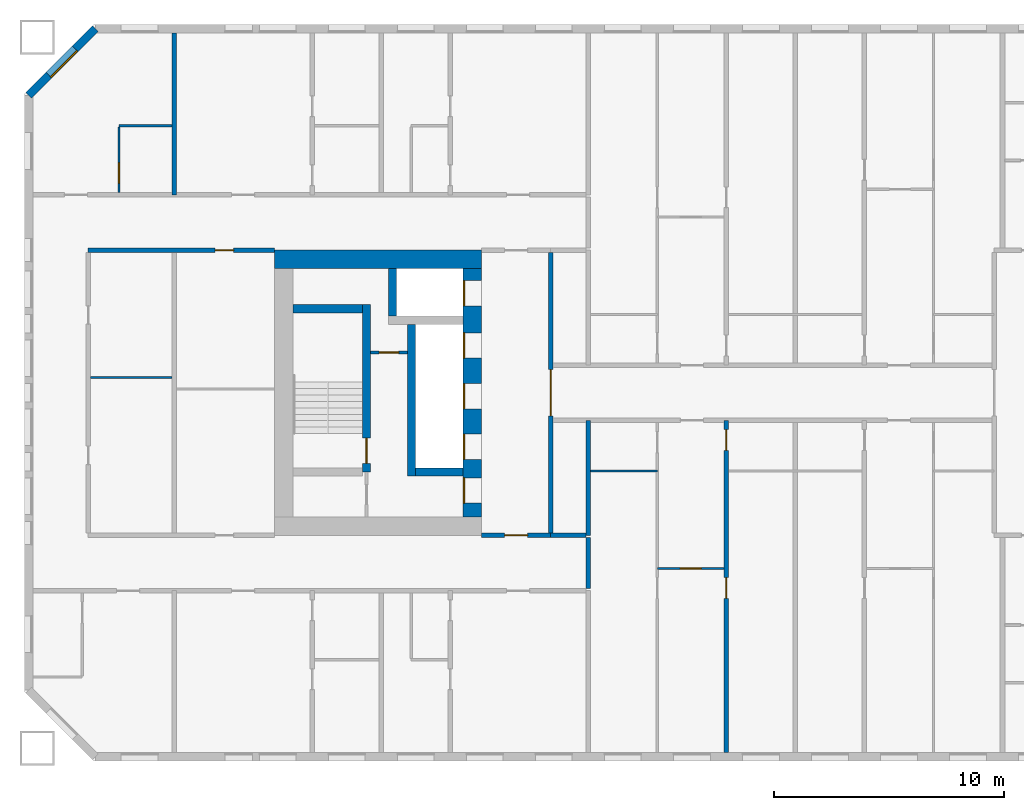
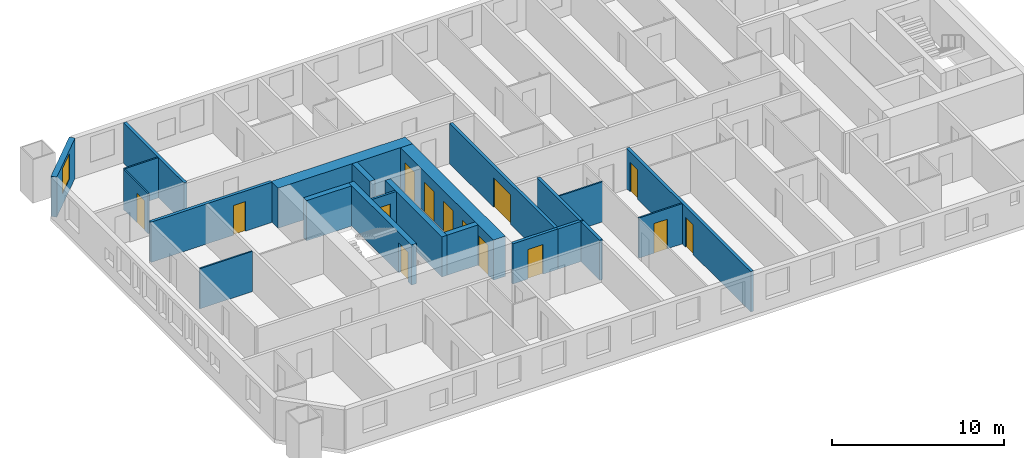
# One storey, part 4 of 17: 22 walls, 14 doors, 1 window, 15 openings.
"""IFC4 building model written with IfcOpenShell, lengths in metres."""

from ifc_helpers import new_model, si_unit, direction, frame, frame_2d, origin, place, context, subcontext, project, spatial, rectangle, extrude, material, layer, layer_set, type_object, element, fill, save


model = new_model("IFC4")

# Units and contexts
model_context = context("Model", 3, precision=1e-05, world=origin(), true_north=direction((0.0, 1.0)))
body_context = subcontext(model_context, "Body", "Model", "MODEL_VIEW")
ifc_project = project(units=[si_unit("LENGTHUNIT", "METRE"), si_unit("AREAUNIT", "SQUARE_METRE"), si_unit("VOLUMEUNIT", "CUBIC_METRE"), si_unit("PLANEANGLEUNIT", "RADIAN"), si_unit("MASSUNIT", "GRAM", prefix="KILO")], contexts=[model_context])

# Site, building, storey
site_placement = place(None, origin())
site = spatial("IfcSite", under=ifc_project, at=site_placement, CompositionType="ELEMENT")
building_placement = place(site_placement, origin())
building = spatial("IfcBuilding", under=site, at=building_placement, Name="Tuart Gate Housing", CompositionType="ELEMENT")
storey_placement = place(building_placement, frame((0.0, 0.0, 47.39990234375)))
storey = spatial("IfcBuildingStorey", under=building, at=storey_placement, Name="L12", CompositionType="ELEMENT", Elevation=47.39990234375)

# Wall, opening, window
ifc_material_1 = material(Name="Brick", Category="masonry")
ifc_layer_1 = layer(ifc_material_1, 0.360107421875)
ifc_layer_set_1 = layer_set([ifc_layer_1], Name="Brick pier and spandrel wall 360")
wall_type_1 = type_object("IfcWallType", Name="Brick pier and spandrel wall 360", PredefinedType="STANDARD", material=ifc_layer_set_1)
wall_1_placement = place(storey_placement, frame((24.57470703125, 85.820068359375, 0.0), z_axis=(0.0, 0.0, 1.0), x_axis=(-0.707106781187, -0.707106781187, 0.0)))
wall_1 = element("IfcWall", 1, at=wall_1_placement, inside=storey, type_object=wall_type_1, Name="External wall A-NW L12", PredefinedType="STANDARD", context=body_context, shape_type="SweptSolid", body=[
    extrude(rectangle(XDim=4.09375, YDim=0.360107421875, at=frame_2d((2.046875, 0.0))), origin(), (0.0, 0.0, 1.0), 2.85009765625),
])
opening_1_placement = place(wall_1_placement, frame((1.2470703125, 0.0, 0.800048828125)))
opening_1 = element("IfcOpeningElement", 2, at=opening_1_placement, cuts=wall_1, Name="Opening W1", PredefinedType="OPENING", context=body_context, shape_type="SweptSolid", body=[
    extrude(rectangle(XDim=1.60009765625, YDim=1.800048828125, at=frame_2d((0.800048828125, 0.89990234375))), frame((0.0, 0.18994140625, 0.0), z_axis=(0.0, -1.0, 0.0), x_axis=(1.0, 0.0, 0.0)), (0.0, 0.0, 1.0), 0.380126953125),
])
ifc_material_2 = material(Name="Aluminium frame with clear glass", Category="aluminium")
window_type = type_object("IfcWindowType", Name="Punched window 1600 x 1800", PartitioningType="SINGLE_PANEL", PredefinedType="WINDOW", material=ifc_material_2)
window_placement = place(opening_1_placement, origin())
window = element("IfcWindow", 3, at=window_placement, inside=storey, type_object=window_type, Name="Window W1", OverallHeight=1.800048828125, OverallWidth=1.60009765625, PartitioningType="SINGLE_PANEL", PredefinedType="WINDOW", context=body_context, shape_type="SweptSolid", body=[
    extrude(rectangle(XDim=1.60009765625, YDim=1.800048828125, at=frame_2d((0.800048828125, 0.89990234375))), frame((0.0, 0.150146484375, 0.0), z_axis=(0.0, -1.0, 0.0), x_axis=(1.0, 0.0, 0.0)), (0.0, 0.0, 1.0), 0.06005859375),
])
fill(opening_1, window)

# Wall, opening, door
ifc_material_3 = material(Name="Plasterboard partition")
ifc_layer_2 = layer(ifc_material_3, 0.14990234375)
ifc_layer_set_2 = layer_set([ifc_layer_2], Name="Core partition 150")
wall_type_2 = type_object("IfcWallType", Name="Core partition 150", PredefinedType="PARTITIONING", material=ifc_layer_set_2)
wall_2_placement = place(storey_placement, frame((38.135009765625, 71.75, 0.0), z_axis=(0.0, 0.0, 1.0), x_axis=(-1.0, 0.0, 0.0)))
wall_2 = element("IfcWall", 4, at=wall_2_placement, inside=storey, type_object=wall_type_2, Name="Core partition AK.3", PredefinedType="PARTITIONING", context=body_context, shape_type="SweptSolid", body=[
    extrude(rectangle(XDim=1.60009765625, YDim=0.14990234375, at=frame_2d((0.800048828125, 0.0))), origin(), (0.0, 0.0, 1.0), 2.85009765625),
])
opening_2_placement = place(wall_2_placement, frame((0.375, 0.0, 0.0)))
opening_2 = element("IfcOpeningElement", 5, at=opening_2_placement, cuts=wall_2, Name="Opening D616", PredefinedType="OPENING", context=body_context, shape_type="SweptSolid", body=[
    extrude(rectangle(XDim=0.85009765625, YDim=2.10009765625, at=frame_2d((0.425048828125, 1.050048828125))), frame((0.0, 0.0849609375, 0.0), z_axis=(0.0, -1.0, 0.0), x_axis=(1.0, 0.0, 0.0)), (0.0, 0.0, 1.0), 0.169921875),
])
ifc_material_4 = material(Name="Steel fire door", Category="steel")
door_type_1 = type_object("IfcDoorType", Name="Riser door 850 x 2100 RH", OperationType="SINGLE_SWING_RIGHT", PredefinedType="DOOR", material=ifc_material_4)
door_1_placement = place(opening_2_placement, frame((0.85009765625, 0.0, 0.0), z_axis=(0.0, 0.0, 1.0), x_axis=(-1.0, 0.0, 0.0)))
door_1 = element("IfcDoor", 6, at=door_1_placement, inside=storey, type_object=door_type_1, Name="Service room door AK.E1", OperationType="SINGLE_SWING_RIGHT", OverallHeight=2.10009765625, OverallWidth=0.85009765625, PredefinedType="DOOR", context=body_context, shape_type="SweptSolid", body=[
    extrude(rectangle(XDim=0.85009765625, YDim=2.10009765625, at=frame_2d((0.425048828125, 1.050048828125))), frame((0.0, 0.025146484375, 0.0), z_axis=(0.0, -1.0, 0.0), x_axis=(1.0, 0.0, 0.0)), (0.0, 0.0, 1.0), 0.050048828125),
])
fill(opening_2, door_1)

# Walls
ifc_material_5 = material(Name="Concrete C60", Category="concrete")
ifc_layer_3 = layer(ifc_material_5, 0.35009765625)
ifc_layer_set_3 = layer_set([ifc_layer_3], Name="Core wall 350 C60")
wall_type_3 = type_object("IfcWallType", Name="Core wall 350 C60", PredefinedType="SHEAR", material=ifc_layer_set_3)
wall_3_placement = place(storey_placement, frame((36.18505859375, 73.64990234375, 0.0), z_axis=(0.0, 0.0, 1.0), x_axis=(-1.0, 0.0, 0.0)))
element("IfcWall", 7, at=wall_3_placement, inside=storey, type_object=wall_type_3, Name="Core wall AK.1", PredefinedType="SHEAR", context=body_context, shape_type="SweptSolid", body=[
    extrude(rectangle(XDim=3.025146484375, YDim=0.35009765625, at=frame_2d((1.5126953125, 0.0))), origin(), (0.0, 0.0, 1.0), 2.85009765625),
])
wall_4_placement = place(storey_placement, frame((40.56005859375, 66.550048828125, 0.0), z_axis=(0.0, 0.0, 1.0), x_axis=(-1.0, 0.0, 0.0)))
element("IfcWall", 8, at=wall_4_placement, inside=storey, type_object=wall_type_3, Name="Core wall AK.4", PredefinedType="SHEAR", context=body_context, shape_type="SweptSolid", body=[
    extrude(rectangle(XDim=2.074951171875, YDim=0.35009765625, at=frame_2d((1.03759765625, 0.0))), origin(), (0.0, 0.0, 1.0), 2.85009765625),
])
wall_5_placement = place(storey_placement, frame((38.31005859375, 72.97509765625, 0.0), z_axis=(0.0, 0.0, 1.0), x_axis=(0.0, -1.0, 0.0)))
element("IfcWall", 9, at=wall_5_placement, inside=storey, type_object=wall_type_3, Name="Core wall AK.6", PredefinedType="SHEAR", context=body_context, shape_type="SweptSolid", body=[
    extrude(rectangle(XDim=6.60009765625, YDim=0.35009765625, at=frame_2d((3.300048828125, 0.0))), origin(), (0.0, 0.0, 1.0), 2.85009765625),
])
wall_6_placement = place(storey_placement, frame((37.489990234375, 75.39990234375, 0.0), z_axis=(0.0, 0.0, 1.0), x_axis=(0.0, -1.0, 0.0)))
element("IfcWall", 10, at=wall_6_placement, inside=storey, type_object=wall_type_3, Name="Core wall AK.7", PredefinedType="SHEAR", context=body_context, shape_type="SweptSolid", body=[
    extrude(rectangle(XDim=2.074951171875, YDim=0.35009765625, at=frame_2d((1.03759765625, 0.0))), origin(), (0.0, 0.0, 1.0), 2.85009765625),
])

# Wall, opening, door
wall_7_placement = place(storey_placement, frame((36.360107421875, 73.824951171875, 0.0), z_axis=(0.0, 0.0, 1.0), x_axis=(0.0, -1.0, 0.0)))
wall_7 = element("IfcWall", 11, at=wall_7_placement, inside=storey, type_object=wall_type_3, Name="Core wall AK.8", PredefinedType="SHEAR", context=body_context, shape_type="SweptSolid", body=[
    extrude(rectangle(XDim=7.27490234375, YDim=0.35009765625, at=frame_2d((3.637451171875, 0.0))), origin(), (0.0, 0.0, 1.0), 2.85009765625),
])
opening_3_placement = place(wall_7_placement, frame((5.800048828125, 0.0, 0.0)))
opening_3 = element("IfcOpeningElement", 12, at=opening_3_placement, cuts=wall_7, Name="Opening D619", PredefinedType="OPENING", context=body_context, shape_type="SweptSolid", body=[
    extrude(rectangle(XDim=1.10009765625, YDim=2.10009765625, at=frame_2d((0.550048828125, 1.050048828125))), frame((0.0, 0.18505859375, 0.0), z_axis=(0.0, -1.0, 0.0), x_axis=(1.0, 0.0, 0.0)), (0.0, 0.0, 1.0), 0.3701171875),
])
ifc_material_6 = material(Name="Steel fire door", Category="steel")
door_type_2 = type_object("IfcDoorType", Name="Stair door 1100 x 2100", OperationType="SINGLE_SWING_LEFT", PredefinedType="DOOR", material=ifc_material_6)
door_2_placement = place(opening_3_placement, frame((1.10009765625, 0.0, 0.0), z_axis=(0.0, 0.0, 1.0), x_axis=(-1.0, 0.0, 0.0)))
door_2 = element("IfcDoor", 13, at=door_2_placement, inside=storey, type_object=door_type_2, Name="Stair door AK.SD", OperationType="SINGLE_SWING_LEFT", OverallHeight=2.10009765625, OverallWidth=1.10009765625, PredefinedType="DOOR", context=body_context, shape_type="SweptSolid", body=[
    extrude(rectangle(XDim=1.10009765625, YDim=2.10009765625, at=frame_2d((0.550048828125, 1.050048828125))), frame((0.0, 0.025146484375, 0.0), z_axis=(0.0, -1.0, 0.0), x_axis=(1.0, 0.0, 0.0)), (0.0, 0.0, 1.0), 0.050048828125),
])
fill(opening_3, door_2)

# Wall, openings, doors
ifc_material_7 = material(Name="Concrete C60", Category="concrete")
ifc_layer_4 = layer(ifc_material_7, 0.800048828125)
ifc_layer_set_4 = layer_set([ifc_layer_4], Name="Core wall 800 C60")
wall_type_4 = type_object("IfcWallType", Name="Core wall 800 C60", PredefinedType="SHEAR", material=ifc_layer_set_4)
wall_8_placement = place(storey_placement, frame((40.9599609375, 75.39990234375, 0.0), z_axis=(0.0, 0.0, 1.0), x_axis=(0.0, -1.0, 0.0)))
wall_8 = element("IfcWall", 14, at=wall_8_placement, inside=storey, type_object=wall_type_4, Name="Core wall AK front", PredefinedType="SHEAR", context=body_context, shape_type="SweptSolid", body=[
    extrude(rectangle(XDim=10.7998046875, YDim=0.800048828125, at=frame_2d((5.39990234375, 0.0))), origin(), (0.0, 0.0, 1.0), 2.85009765625),
])
opening_4_placement = place(wall_8_placement, frame((0.52490234375, 0.0, 0.0)))
opening_4 = element("IfcOpeningElement", 15, at=opening_4_placement, cuts=wall_8, Name="Opening LD-FA2", PredefinedType="OPENING", context=body_context, shape_type="SweptSolid", body=[
    extrude(rectangle(XDim=1.10009765625, YDim=2.10009765625, at=frame_2d((0.550048828125, 1.050048828125))), frame((0.0, 0.409912109375, 0.0), z_axis=(0.0, -1.0, 0.0), x_axis=(1.0, 0.0, 0.0)), (0.0, 0.0, 1.0), 0.820068359375),
])
opening_5_placement = place(wall_8_placement, frame((2.800048828125, 0.0, 0.0)))
opening_5 = element("IfcOpeningElement", 16, at=opening_5_placement, cuts=wall_8, Name="Opening LD-LA4", PredefinedType="OPENING", context=body_context, shape_type="SweptSolid", body=[
    extrude(rectangle(XDim=1.10009765625, YDim=2.10009765625, at=frame_2d((0.550048828125, 1.050048828125))), frame((0.0, 0.409912109375, 0.0), z_axis=(0.0, -1.0, 0.0), x_axis=(1.0, 0.0, 0.0)), (0.0, 0.0, 1.0), 0.820068359375),
])
opening_6_placement = place(wall_8_placement, frame((5.0, 0.0, 0.0)))
opening_6 = element("IfcOpeningElement", 17, at=opening_6_placement, cuts=wall_8, Name="Opening LD-LA5", PredefinedType="OPENING", context=body_context, shape_type="SweptSolid", body=[
    extrude(rectangle(XDim=1.10009765625, YDim=2.10009765625, at=frame_2d((0.550048828125, 1.050048828125))), frame((0.0, 0.409912109375, 0.0), z_axis=(0.0, -1.0, 0.0), x_axis=(1.0, 0.0, 0.0)), (0.0, 0.0, 1.0), 0.820068359375),
])
opening_7_placement = place(wall_8_placement, frame((7.199951171875, 0.0, 0.0)))
opening_7 = element("IfcOpeningElement", 18, at=opening_7_placement, cuts=wall_8, Name="Opening LD-LA6", PredefinedType="OPENING", context=body_context, shape_type="SweptSolid", body=[
    extrude(rectangle(XDim=1.10009765625, YDim=2.10009765625, at=frame_2d((0.550048828125, 1.050048828125))), frame((0.0, 0.409912109375, 0.0), z_axis=(0.0, -1.0, 0.0), x_axis=(1.0, 0.0, 0.0)), (0.0, 0.0, 1.0), 0.820068359375),
])
opening_8_placement = place(wall_8_placement, frame((9.10009765625, 0.0, 0.0)))
opening_8 = element("IfcOpeningElement", 19, at=opening_8_placement, cuts=wall_8, Name="Opening D622", PredefinedType="OPENING", context=body_context, shape_type="SweptSolid", body=[
    extrude(rectangle(XDim=1.10009765625, YDim=2.10009765625, at=frame_2d((0.550048828125, 1.050048828125))), frame((0.0, 0.409912109375, 0.0), z_axis=(0.0, -1.0, 0.0), x_axis=(1.0, 0.0, 0.0)), (0.0, 0.0, 1.0), 0.820068359375),
])
ifc_material_8 = material(Name="Stainless steel", Category="steel")
door_type_3 = type_object("IfcDoorType", Name="Landing door 1100 x 2100", OperationType="DOUBLE_DOOR_SLIDING", PredefinedType="DOOR", material=ifc_material_8)
door_3_placement = place(opening_4_placement, origin())
door_3 = element("IfcDoor", 20, at=door_3_placement, inside=storey, type_object=door_type_3, Name="Lift landing door FA2", OperationType="DOUBLE_DOOR_SLIDING", OverallHeight=2.10009765625, OverallWidth=1.10009765625, PredefinedType="DOOR", context=body_context, shape_type="SweptSolid", body=[
    extrude(rectangle(XDim=1.10009765625, YDim=2.10009765625, at=frame_2d((0.550048828125, 1.050048828125))), frame((0.0, -0.3349609375, 0.0), z_axis=(0.0, -1.0, 0.0), x_axis=(1.0, 0.0, 0.0)), (0.0, 0.0, 1.0), 0.050048828125),
])
fill(opening_4, door_3)
door_4_placement = place(opening_5_placement, origin())
door_4 = element("IfcDoor", 21, at=door_4_placement, inside=storey, type_object=door_type_3, Name="Lift landing door LA4", OperationType="DOUBLE_DOOR_SLIDING", OverallHeight=2.10009765625, OverallWidth=1.10009765625, PredefinedType="DOOR", context=body_context, shape_type="SweptSolid", body=[
    extrude(rectangle(XDim=1.10009765625, YDim=2.10009765625, at=frame_2d((0.550048828125, 1.050048828125))), frame((0.0, -0.3349609375, 0.0), z_axis=(0.0, -1.0, 0.0), x_axis=(1.0, 0.0, 0.0)), (0.0, 0.0, 1.0), 0.050048828125),
])
fill(opening_5, door_4)
door_5_placement = place(opening_6_placement, origin())
door_5 = element("IfcDoor", 22, at=door_5_placement, inside=storey, type_object=door_type_3, Name="Lift landing door LA5", OperationType="DOUBLE_DOOR_SLIDING", OverallHeight=2.10009765625, OverallWidth=1.10009765625, PredefinedType="DOOR", context=body_context, shape_type="SweptSolid", body=[
    extrude(rectangle(XDim=1.10009765625, YDim=2.10009765625, at=frame_2d((0.550048828125, 1.050048828125))), frame((0.0, -0.3349609375, 0.0), z_axis=(0.0, -1.0, 0.0), x_axis=(1.0, 0.0, 0.0)), (0.0, 0.0, 1.0), 0.050048828125),
])
fill(opening_6, door_5)
door_6_placement = place(opening_7_placement, origin())
door_6 = element("IfcDoor", 23, at=door_6_placement, inside=storey, type_object=door_type_3, Name="Lift landing door LA6", OperationType="DOUBLE_DOOR_SLIDING", OverallHeight=2.10009765625, OverallWidth=1.10009765625, PredefinedType="DOOR", context=body_context, shape_type="SweptSolid", body=[
    extrude(rectangle(XDim=1.10009765625, YDim=2.10009765625, at=frame_2d((0.550048828125, 1.050048828125))), frame((0.0, -0.3349609375, 0.0), z_axis=(0.0, -1.0, 0.0), x_axis=(1.0, 0.0, 0.0)), (0.0, 0.0, 1.0), 0.050048828125),
])
fill(opening_7, door_6)
ifc_material_9 = material(Name="Steel fire door", Category="steel")
door_type_4 = type_object("IfcDoorType", Name="Lobby door 1100 x 2100 RH", OperationType="SINGLE_SWING_RIGHT", PredefinedType="DOOR", material=ifc_material_9)
door_7_placement = place(opening_8_placement, frame((1.10009765625, 0.0, 0.0), z_axis=(0.0, 0.0, 1.0), x_axis=(-1.0, 0.0, 0.0)))
door_7 = element("IfcDoor", 24, at=door_7_placement, inside=storey, type_object=door_type_4, Name="Lobby entry door AK.EN", OperationType="SINGLE_SWING_RIGHT", OverallHeight=2.10009765625, OverallWidth=1.10009765625, PredefinedType="DOOR", context=body_context, shape_type="SweptSolid", body=[
    extrude(rectangle(XDim=1.10009765625, YDim=2.10009765625, at=frame_2d((0.550048828125, 1.050048828125))), frame((0.0, 0.385009765625, 0.0), z_axis=(0.0, -1.0, 0.0), x_axis=(1.0, 0.0, 0.0)), (0.0, 0.0, 1.0), 0.050048828125),
])
fill(opening_8, door_7)

# Walls
wall_9_placement = place(storey_placement, frame((41.360107421875, 75.800048828125, 0.0), z_axis=(0.0, 0.0, 1.0), x_axis=(-1.0, 0.0, 0.0)))
element("IfcWall", 25, at=wall_9_placement, inside=storey, type_object=wall_type_4, Name="Core wall AK south", PredefinedType="SHEAR", context=body_context, shape_type="SweptSolid", body=[
    extrude(rectangle(XDim=9.0, YDim=0.800048828125, at=frame_2d((4.5, 0.0))), origin(), (0.0, 0.0, 1.0), 2.85009765625),
])
ifc_material_10 = material(Name="Concrete masonry 15 MPa", Category="masonry")
ifc_layer_5 = layer(ifc_material_10, 0.199951171875)
ifc_layer_set_5 = layer_set([ifc_layer_5], Name="Corridor wall masonry 200")
wall_type_5 = type_object("IfcWallType", Name="Corridor wall masonry 200", PredefinedType="PARTITIONING", material=ifc_layer_set_5)
wall_10_placement = place(storey_placement, frame((44.360107421875, 63.800048828125, 0.0), z_axis=(0.0, 0.0, 1.0), x_axis=(1.0, 0.0, 0.0)))
element("IfcWall", 26, at=wall_10_placement, inside=storey, type_object=wall_type_5, Name="Corridor wall masonry 200", PredefinedType="PARTITIONING", context=body_context, shape_type="SweptSolid", body=[
    extrude(rectangle(XDim=1.539794921875, YDim=0.199951171875, at=frame_2d((0.77001953125, 0.0))), origin(), (0.0, 0.0, 1.0), 2.85009765625),
])

# Wall, opening, door
wall_11_placement = place(storey_placement, frame((24.260009765625, 76.199951171875, 0.0), z_axis=(0.0, 0.0, 1.0), x_axis=(1.0, 0.0, 0.0)))
wall_11 = element("IfcWall", 27, at=wall_11_placement, inside=storey, type_object=wall_type_5, Name="Corridor wall masonry 200", PredefinedType="PARTITIONING", context=body_context, shape_type="SweptSolid", body=[
    extrude(rectangle(XDim=8.10009765625, YDim=0.199951171875, at=frame_2d((4.050048828125, 0.0))), origin(), (0.0, 0.0, 1.0), 2.85009765625),
])
opening_9_placement = place(wall_11_placement, frame((5.52001953125, 0.0, 0.0)))
opening_9 = element("IfcOpeningElement", 28, at=opening_9_placement, cuts=wall_11, Name="Opening D612", PredefinedType="OPENING", context=body_context, shape_type="SweptSolid", body=[
    extrude(rectangle(XDim=0.800048828125, YDim=2.10009765625, at=frame_2d((0.39990234375, 1.050048828125))), frame((0.0, 0.10986328125, 0.0), z_axis=(0.0, -1.0, 0.0), x_axis=(1.0, 0.0, 0.0)), (0.0, 0.0, 1.0), 0.219970703125),
])
ifc_material_11 = material(Name="Timber door leaf in steel frame", Category="steel")
door_type_5 = type_object("IfcDoorType", Name="Store door 800 RH", OperationType="SINGLE_SWING_RIGHT", PredefinedType="DOOR", material=ifc_material_11)
door_8_placement = place(opening_9_placement, frame((0.800048828125, 0.0, 0.0), z_axis=(0.0, 0.0, 1.0), x_axis=(-1.0, 0.0, 0.0)))
door_8 = element("IfcDoor", 29, at=door_8_placement, inside=storey, type_object=door_type_5, Name="Store door", OperationType="SINGLE_SWING_RIGHT", OverallHeight=2.10009765625, OverallWidth=0.800048828125, PredefinedType="DOOR", context=body_context, shape_type="SweptSolid", body=[
    extrude(rectangle(XDim=0.800048828125, YDim=2.10009765625, at=frame_2d((0.400146484375, 1.050048828125))), frame((0.0, 0.025146484375, 0.0), z_axis=(0.0, -1.0, 0.0), x_axis=(1.0, 0.0, 0.0)), (0.0, 0.0, 1.0), 0.050048828125),
])
fill(opening_9, door_8)

# Wall
wall_12_placement = place(storey_placement, frame((46.0, 61.5, 0.0), z_axis=(0.0, 0.0, 1.0), x_axis=(0.0, 1.0, 0.0)))
element("IfcWall", 30, at=wall_12_placement, inside=storey, type_object=wall_type_5, Name="Corridor wall masonry 200", PredefinedType="PARTITIONING", context=body_context, shape_type="SweptSolid", body=[
    extrude(rectangle(XDim=2.199951171875, YDim=0.199951171875, at=frame_2d((1.10009765625, 0.0))), origin(), (0.0, 0.0, 1.0), 2.85009765625),
])

# Wall, opening, door
ifc_material_12 = material(Name="Concrete masonry 15 MPa", Category="masonry")
ifc_layer_6 = layer(ifc_material_12, 0.199951171875)
ifc_layer_set_6 = layer_set([ifc_layer_6], Name="Enclosure wall masonry 200")
wall_type_6 = type_object("IfcWallType", Name="Enclosure wall masonry 200", PredefinedType="PARTITIONING", material=ifc_layer_set_6)
wall_13_placement = place(storey_placement, frame((41.360107421875, 63.800048828125, 0.0), z_axis=(0.0, 0.0, 1.0), x_axis=(1.0, 0.0, 0.0)))
wall_13 = element("IfcWall", 31, at=wall_13_placement, inside=storey, type_object=wall_type_6, Name="Enclosure wall masonry 200", PredefinedType="PARTITIONING", context=body_context, shape_type="SweptSolid", body=[
    extrude(rectangle(XDim=3.0, YDim=0.199951171875, at=frame_2d((1.5, 0.0))), origin(), (0.0, 0.0, 1.0), 2.85009765625),
])
opening_10_placement = place(wall_13_placement, frame((1.0, 0.0, 0.0)))
opening_10 = element("IfcOpeningElement", 32, at=opening_10_placement, cuts=wall_13, Name="Opening D632", PredefinedType="OPENING", context=body_context, shape_type="SweptSolid", body=[
    extrude(rectangle(XDim=1.0, YDim=2.10009765625, at=frame_2d((0.5, 1.050048828125))), frame((0.0, 0.10986328125, 0.0), z_axis=(0.0, -1.0, 0.0), x_axis=(1.0, 0.0, 0.0)), (0.0, 0.0, 1.0), 0.219970703125),
])
ifc_material_13 = material(Name="Timber door leaf in steel frame", Category="steel")
door_type_6 = type_object("IfcDoorType", Name="Fire door 1000", OperationType="SINGLE_SWING_LEFT", PredefinedType="DOOR", material=ifc_material_13)
door_9_placement = place(opening_10_placement, frame((1.0, 0.0, 0.0), z_axis=(0.0, 0.0, 1.0), x_axis=(-1.0, 0.0, 0.0)))
door_9 = element("IfcDoor", 33, at=door_9_placement, inside=storey, type_object=door_type_6, Name="Fire door", OperationType="SINGLE_SWING_LEFT", OverallHeight=2.10009765625, OverallWidth=1.0, PredefinedType="DOOR", context=body_context, shape_type="SweptSolid", body=[
    extrude(rectangle(XDim=1.0, YDim=2.10009765625, at=frame_2d((0.5, 1.050048828125))), frame((0.0, 0.025146484375, 0.0), z_axis=(0.0, -1.0, 0.0), x_axis=(1.0, 0.0, 0.0)), (0.0, 0.0, 1.0), 0.050048828125),
])
fill(opening_10, door_9)

ifc_material_14 = material(Name="Plasterboard partition")
ifc_layer_7 = layer(ifc_material_14, 0.199951171875)
ifc_layer_set_7 = layer_set([ifc_layer_7], Name="Lobby wall 200")
wall_type_7 = type_object("IfcWallType", Name="Lobby wall 200", PredefinedType="PARTITIONING", material=ifc_layer_set_7)
wall_14_placement = place(storey_placement, frame((44.360107421875, 63.89990234375, 0.0), z_axis=(0.0, 0.0, 1.0), x_axis=(0.0, 1.0, 0.0)))
wall_14 = element("IfcWall", 34, at=wall_14_placement, inside=storey, type_object=wall_type_7, Name="Lift lobby wall AK", PredefinedType="PARTITIONING", context=body_context, shape_type="SweptSolid", body=[
    extrude(rectangle(XDim=12.2001953125, YDim=0.199951171875, at=frame_2d((6.10009765625, 0.0))), origin(), (0.0, 0.0, 1.0), 2.85009765625),
])
opening_11_placement = place(wall_14_placement, frame((5.10009765625, 0.0, 0.0)))
opening_11 = element("IfcOpeningElement", 35, at=opening_11_placement, cuts=wall_14, Name="Opening D623", PredefinedType="OPENING", context=body_context, shape_type="SweptSolid", body=[
    extrude(rectangle(XDim=2.0, YDim=2.10009765625, at=frame_2d((1.0, 1.050048828125))), frame((0.0, 0.10986328125, 0.0), z_axis=(0.0, -1.0, 0.0), x_axis=(1.0, 0.0, 0.0)), (0.0, 0.0, 1.0), 0.219970703125),
])
ifc_material_15 = material(Name="Steel fire door", Category="steel")
door_type_7 = type_object("IfcDoorType", Name="Smoke door 2000 x 2100", OperationType="DOUBLE_DOOR_SINGLE_SWING", PredefinedType="DOOR", material=ifc_material_15)
door_10_placement = place(opening_11_placement, origin())
door_10 = element("IfcDoor", 36, at=door_10_placement, inside=storey, type_object=door_type_7, Name="Lift lobby smoke door AK", OperationType="DOUBLE_DOOR_SINGLE_SWING", OverallHeight=2.10009765625, OverallWidth=2.0, PredefinedType="DOOR", context=body_context, shape_type="SweptSolid", body=[
    extrude(rectangle(XDim=2.0, YDim=2.10009765625, at=frame_2d((1.0, 1.050048828125))), frame((0.0, 0.02490234375, 0.0), z_axis=(0.0, -1.0, 0.0), x_axis=(1.0, 0.0, 0.0)), (0.0, 0.0, 1.0), 0.050048828125),
])
fill(opening_11, door_10)

ifc_material_16 = material(Name="Gypsum board on steel studs", Category="steel")
ifc_layer_8 = layer(ifc_material_16, 0.10009765625)
ifc_layer_set_8 = layer_set([ifc_layer_8], Name="Partition 100")
wall_type_8 = type_object("IfcWallType", Name="Partition 100", PredefinedType="PARTITIONING", material=ifc_layer_set_8)
wall_15_placement = place(storey_placement, frame((49.0, 62.360107421875, 0.0), z_axis=(0.0, 0.0, 1.0), x_axis=(1.0, 0.0, 0.0)))
wall_15 = element("IfcWall", 37, at=wall_15_placement, inside=storey, type_object=wall_type_8, Name="Partition 100", PredefinedType="PARTITIONING", context=body_context, shape_type="SweptSolid", body=[
    extrude(rectangle(XDim=2.89990234375, YDim=0.10009765625, at=frame_2d((1.449951171875, 0.0))), origin(), (0.0, 0.0, 1.0), 2.85009765625),
])
opening_12_placement = place(wall_15_placement, frame((1.0, 0.0, 0.0)))
opening_12 = element("IfcOpeningElement", 38, at=opening_12_placement, cuts=wall_15, Name="Opening D634", PredefinedType="OPENING", context=body_context, shape_type="SweptSolid", body=[
    extrude(rectangle(XDim=0.89990234375, YDim=2.10009765625, at=frame_2d((0.449951171875, 1.050048828125))), frame((0.0, 0.06005859375, 0.0), z_axis=(0.0, -1.0, 0.0), x_axis=(1.0, 0.0, 0.0)), (0.0, 0.0, 1.0), 0.1201171875),
])
ifc_material_17 = material(Name="Timber door leaf in steel frame", Category="steel")
door_type_8 = type_object("IfcDoorType", Name="Internal door 900", OperationType="SINGLE_SWING_LEFT", PredefinedType="DOOR", material=ifc_material_17)
door_11_placement = place(opening_12_placement, origin())
door_11 = element("IfcDoor", 39, at=door_11_placement, inside=storey, type_object=door_type_8, Name="Internal door", OperationType="SINGLE_SWING_LEFT", OverallHeight=2.10009765625, OverallWidth=0.89990234375, PredefinedType="DOOR", context=body_context, shape_type="SweptSolid", body=[
    extrude(rectangle(XDim=0.89990234375, YDim=2.10009765625, at=frame_2d((0.449951171875, 1.050048828125))), frame((0.0, 0.02490234375, 0.0), z_axis=(0.0, -1.0, 0.0), x_axis=(1.0, 0.0, 0.0)), (0.0, 0.0, 1.0), 0.050048828125),
])
fill(opening_12, door_11)

# Walls
wall_16_placement = place(storey_placement, frame((46.10009765625, 66.60009765625, 0.0), z_axis=(0.0, 0.0, 1.0), x_axis=(1.0, 0.0, 0.0)))
element("IfcWall", 40, at=wall_16_placement, inside=storey, type_object=wall_type_8, Name="Partition 100", PredefinedType="PARTITIONING", context=body_context, shape_type="SweptSolid", body=[
    extrude(rectangle(XDim=2.89990234375, YDim=0.10009765625, at=frame_2d((1.449951171875, 0.0))), origin(), (0.0, 0.0, 1.0), 2.85009765625),
])
wall_17_placement = place(storey_placement, frame((24.360107421875, 70.659912109375, 0.0), z_axis=(0.0, 0.0, 1.0), x_axis=(1.0, 0.0, 0.0)))
element("IfcWall", 41, at=wall_17_placement, inside=storey, type_object=wall_type_8, Name="Partition 100", PredefinedType="PARTITIONING", context=body_context, shape_type="SweptSolid", body=[
    extrude(rectangle(XDim=3.539794921875, YDim=0.10009765625, at=frame_2d((1.77001953125, 0.0))), origin(), (0.0, 0.0, 1.0), 2.85009765625),
])
wall_18_placement = place(storey_placement, frame((25.60009765625, 81.60009765625, 0.0), z_axis=(0.0, 0.0, 1.0), x_axis=(1.0, 0.0, 0.0)))
element("IfcWall", 42, at=wall_18_placement, inside=storey, type_object=wall_type_8, Name="Partition 100", PredefinedType="PARTITIONING", context=body_context, shape_type="SweptSolid", body=[
    extrude(rectangle(XDim=2.2998046875, YDim=0.10009765625, at=frame_2d((1.14990234375, 0.0))), origin(), (0.0, 0.0, 1.0), 2.85009765625),
])

# Wall, opening, door
wall_19_placement = place(storey_placement, frame((25.60009765625, 78.699951171875, 0.0), z_axis=(0.0, 0.0, 1.0), x_axis=(0.0, 1.0, 0.0)))
wall_19 = element("IfcWall", 43, at=wall_19_placement, inside=storey, type_object=wall_type_8, Name="Partition 100", PredefinedType="PARTITIONING", context=body_context, shape_type="SweptSolid", body=[
    extrude(rectangle(XDim=2.85009765625, YDim=0.10009765625, at=frame_2d((1.425048828125, 0.0))), origin(), (0.0, 0.0, 1.0), 2.85009765625),
])
opening_13_placement = place(wall_19_placement, frame((0.39990234375, 0.0, 0.0)))
opening_13 = element("IfcOpeningElement", 44, at=opening_13_placement, cuts=wall_19, Name="Opening D596", PredefinedType="OPENING", context=body_context, shape_type="SweptSolid", body=[
    extrude(rectangle(XDim=0.89990234375, YDim=2.10009765625, at=frame_2d((0.449951171875, 1.050048828125))), frame((0.0, 0.06005859375, 0.0), z_axis=(0.0, -1.0, 0.0), x_axis=(1.0, 0.0, 0.0)), (0.0, 0.0, 1.0), 0.1201171875),
])
ifc_material_18 = material(Name="Timber door leaf in steel frame", Category="steel")
door_type_9 = type_object("IfcDoorType", Name="Bathroom door 900 RH", OperationType="SINGLE_SWING_RIGHT", PredefinedType="DOOR", material=ifc_material_18)
door_12_placement = place(opening_13_placement, frame((0.89990234375, 0.0, 0.0), z_axis=(0.0, 0.0, 1.0), x_axis=(-1.0, 0.0, 0.0)))
door_12 = element("IfcDoor", 45, at=door_12_placement, inside=storey, type_object=door_type_9, Name="Bathroom door", OperationType="SINGLE_SWING_RIGHT", OverallHeight=2.10009765625, OverallWidth=0.89990234375, PredefinedType="DOOR", context=body_context, shape_type="SweptSolid", body=[
    extrude(rectangle(XDim=0.89990234375, YDim=2.10009765625, at=frame_2d((0.449951171875, 1.050048828125))), frame((0.0, 0.025146484375, 0.0), z_axis=(0.0, -1.0, 0.0), x_axis=(1.0, 0.0, 0.0)), (0.0, 0.0, 1.0), 0.050048828125),
])
fill(opening_13, door_12)

# Walls
ifc_material_19 = material(Name="Concrete C40", Category="concrete")
ifc_layer_9 = layer(ifc_material_19, 0.199951171875)
ifc_layer_set_9 = layer_set([ifc_layer_9], Name="Party wall concrete C40 200")
wall_type_9 = type_object("IfcWallType", Name="Party wall concrete C40 200", PredefinedType="SOLIDWALL", material=ifc_layer_set_9)
wall_20_placement = place(storey_placement, frame((28.0, 78.60009765625, 0.0), z_axis=(0.0, 0.0, 1.0), x_axis=(0.0, 1.0, 0.0)))
element("IfcWall", 46, at=wall_20_placement, inside=storey, type_object=wall_type_9, Name="Party wall concrete C40 200", PredefinedType="SOLIDWALL", context=body_context, shape_type="SweptSolid", body=[
    extrude(rectangle(XDim=7.039794921875, YDim=0.199951171875, at=frame_2d((3.52001953125, 0.0))), origin(), (0.0, 0.0, 1.0), 2.85009765625),
])
wall_21_placement = place(storey_placement, frame((46.0, 63.800048828125, 0.0), z_axis=(0.0, 0.0, 1.0), x_axis=(0.0, 1.0, 0.0)))
element("IfcWall", 47, at=wall_21_placement, inside=storey, type_object=wall_type_9, Name="Party wall concrete C40 200", PredefinedType="SOLIDWALL", context=body_context, shape_type="SweptSolid", body=[
    extrude(rectangle(XDim=5.0, YDim=0.199951171875, at=frame_2d((2.5, 0.0))), origin(), (0.0, 0.0, 1.0), 2.85009765625),
])

# Wall, openings, doors
wall_22_placement = place(storey_placement, frame((52.0, 54.360107421875, 0.0), z_axis=(0.0, 0.0, 1.0), x_axis=(0.0, 1.0, 0.0)))
wall_22 = element("IfcWall", 48, at=wall_22_placement, inside=storey, type_object=wall_type_9, Name="Party wall concrete C40 200", PredefinedType="SOLIDWALL", context=body_context, shape_type="SweptSolid", body=[
    extrude(rectangle(XDim=14.43994140625, YDim=0.199951171875, at=frame_2d((7.219970703125, 0.0))), origin(), (0.0, 0.0, 1.0), 2.85009765625),
])
opening_14_placement = place(wall_22_placement, frame((6.699951171875, 0.0, 0.0)))
opening_14 = element("IfcOpeningElement", 49, at=opening_14_placement, cuts=wall_22, Name="Opening D637", PredefinedType="OPENING", context=body_context, shape_type="SweptSolid", body=[
    extrude(rectangle(XDim=0.89990234375, YDim=2.10009765625, at=frame_2d((0.449951171875, 1.050048828125))), frame((0.0, 0.10986328125, 0.0), z_axis=(0.0, -1.0, 0.0), x_axis=(1.0, 0.0, 0.0)), (0.0, 0.0, 1.0), 0.219970703125),
])
opening_15_placement = place(wall_22_placement, frame((13.139892578125, 0.0, 0.0)))
opening_15 = element("IfcOpeningElement", 50, at=opening_15_placement, cuts=wall_22, Name="Opening D636", PredefinedType="OPENING", context=body_context, shape_type="SweptSolid", body=[
    extrude(rectangle(XDim=0.89990234375, YDim=2.10009765625, at=frame_2d((0.449951171875, 1.050048828125))), frame((0.0, 0.10986328125, 0.0), z_axis=(0.0, -1.0, 0.0), x_axis=(1.0, 0.0, 0.0)), (0.0, 0.0, 1.0), 0.219970703125),
])
ifc_material_20 = material(Name="Timber door leaf in steel frame", Category="steel")
door_type_10 = type_object("IfcDoorType", Name="Bathroom door 900", OperationType="SINGLE_SWING_LEFT", PredefinedType="DOOR", material=ifc_material_20)
door_13_placement = place(opening_15_placement, frame((0.89990234375, 0.0, 0.0), z_axis=(0.0, 0.0, 1.0), x_axis=(-1.0, 0.0, 0.0)))
door_13 = element("IfcDoor", 51, at=door_13_placement, inside=storey, type_object=door_type_10, Name="Bathroom door", OperationType="SINGLE_SWING_LEFT", OverallHeight=2.10009765625, OverallWidth=0.89990234375, PredefinedType="DOOR", context=body_context, shape_type="SweptSolid", body=[
    extrude(rectangle(XDim=0.89990234375, YDim=2.10009765625, at=frame_2d((0.449951171875, 1.050048828125))), frame((0.0, 0.025146484375, 0.0), z_axis=(0.0, -1.0, 0.0), x_axis=(1.0, 0.0, 0.0)), (0.0, 0.0, 1.0), 0.050048828125),
])
fill(opening_15, door_13)
door_14_placement = place(opening_14_placement, frame((0.89990234375, 0.0, 0.0), z_axis=(0.0, 0.0, 1.0), x_axis=(-1.0, 0.0, 0.0)))
door_14 = element("IfcDoor", 52, at=door_14_placement, inside=storey, type_object=door_type_8, Name="Internal door", OperationType="SINGLE_SWING_LEFT", OverallHeight=2.10009765625, OverallWidth=0.89990234375, PredefinedType="DOOR", context=body_context, shape_type="SweptSolid", body=[
    extrude(rectangle(XDim=0.89990234375, YDim=2.10009765625, at=frame_2d((0.449951171875, 1.050048828125))), frame((0.0, 0.025146484375, 0.0), z_axis=(0.0, -1.0, 0.0), x_axis=(1.0, 0.0, 0.0)), (0.0, 0.0, 1.0), 0.050048828125),
])
fill(opening_14, door_14)

save(model, "model.ifc")
